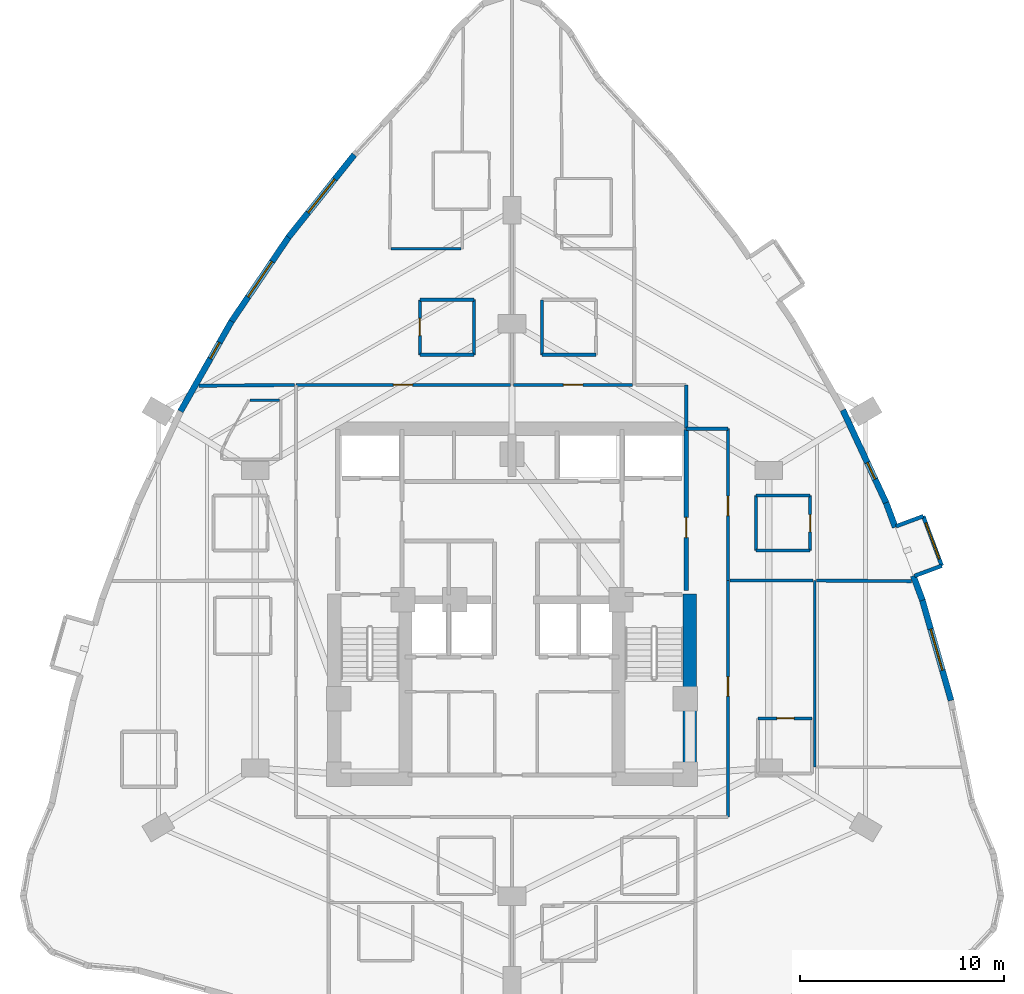
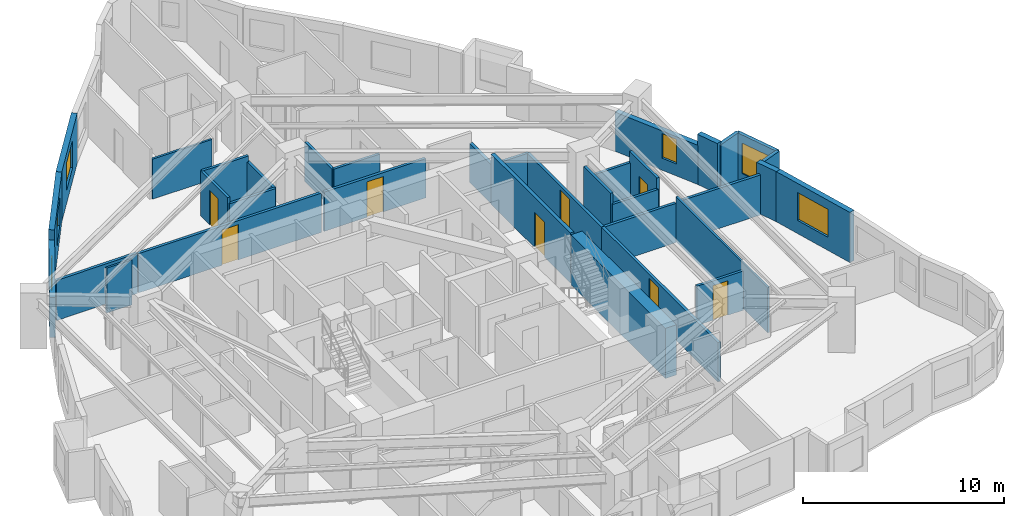
# One storey, part 10 of 13: 35 walls, 8 doors, 6 windows, 14 openings.
"""IFC4 building model written with IfcOpenShell, lengths in metres."""

from ifc_helpers import new_model, si_unit, direction, frame, frame_2d, origin, place, context, subcontext, project, spatial, rectangle, extrude, material, layer, layer_set, type_object, element, fill, save


model = new_model("IFC4")

# Units and contexts
model_context = context("Model", 3, precision=1e-05, world=origin(), true_north=direction((0.0, 1.0)))
body_context = subcontext(model_context, "Body", "Model", "MODEL_VIEW")
ifc_project = project(units=[si_unit("LENGTHUNIT", "METRE"), si_unit("AREAUNIT", "SQUARE_METRE"), si_unit("VOLUMEUNIT", "CUBIC_METRE"), si_unit("PLANEANGLEUNIT", "RADIAN"), si_unit("MASSUNIT", "GRAM", prefix="KILO")], contexts=[model_context])

# Site, building, storey
site_placement = place(None, origin())
site = spatial("IfcSite", under=ifc_project, at=site_placement, CompositionType="ELEMENT")
building_placement = place(site_placement, origin())
building = spatial("IfcBuilding", under=site, at=building_placement, Name="Miruveldt Soraemaru", CompositionType="ELEMENT")
storey_placement = place(building_placement, frame((0.0, 0.0, 87.0)))
storey = spatial("IfcBuildingStorey", under=building, at=storey_placement, Name="L24", CompositionType="ELEMENT", Elevation=87.0)

# Walls
ifc_material_1 = material(Name="White powder-coated aluminium EN AW-6060 T6", Category="aluminium")
ifc_layer_1 = layer(ifc_material_1, 0.18994140625, Name="White powder-coated aluminium EN AW-6060 T6", Category="aluminium")
ifc_layer_set_1 = layer_set([ifc_layer_1], Name="White powder-coated aluminium EN AW-6060 T6")
wall_type_1 = type_object("IfcWallType", Name="WALL-BAY-ALU190", PredefinedType="SOLIDWALL", material=ifc_layer_set_1)
for number, where, z_axis, x_axis, name in (
    (1, (63.755859375, 45.2265625, 0.0), (0.0, 0.0, 1.0), (0.937129361406, 0.348982177182, 0.0), "L24 Bay Window Side Cheek 5L"),
    (2, (64.183837890625, 48.160400390625, 0.0), (0.0, 0.0, 1.0), (-0.937129361406, -0.348982177182, 0.0), "L24 Bay Window Side Cheek 5R"),
):
    element("IfcWall", number, at=place(storey_placement, frame(where, z_axis=z_axis, x_axis=x_axis)), inside=storey, type_object=wall_type_1, Name=name, PredefinedType="SOLIDWALL", context=body_context, shape_type="SweptSolid", body=[
        extrude(rectangle(XDim=1.425048828125, YDim=0.18994140625, at=frame_2d((0.71240234375, 0.0))), origin(), (0.0, 0.0, 1.0), 2.89990234375),
    ])

# Wall, opening, window
wall_1_placement = place(storey_placement, frame((65.09130859375, 45.723876953125, 0.0), z_axis=(0.0, 0.0, 1.0), x_axis=(-0.349023333144, 0.937114034107, 0.0)))
wall_1 = element("IfcWall", 3, at=wall_1_placement, inside=storey, type_object=wall_type_1, Name="L24 Bay Window Front Frame 5", PredefinedType="SOLIDWALL", context=body_context, shape_type="SweptSolid", body=[
    extrude(rectangle(XDim=2.60009765625, YDim=0.18994140625, at=frame_2d((1.300048828125, 0.0))), origin(), (0.0, 0.0, 1.0), 2.89990234375),
])
opening_1_placement = place(wall_1_placement, frame((0.35009765625, 0.0, 0.550048828125)))
opening_1 = element("IfcOpeningElement", 4, at=opening_1_placement, cuts=wall_1, Name="Opening WN-6", PredefinedType="OPENING", context=body_context, shape_type="SweptSolid", body=[
    extrude(rectangle(XDim=1.89990234375, YDim=1.85009765625, at=frame_2d((0.949951171875, 0.925048828125))), frame((0.0, 0.10498046875, 0.0), z_axis=(0.0, -1.0, 0.0), x_axis=(1.0, 0.0, 0.0)), (0.0, 0.0, 1.0), 0.2099609375),
])
ifc_material_2 = material(Name="Triple low-e insulated glazing", Category="glass")
window_type_1 = type_object("IfcWindowType", Name="WIN-BAYW-1900x1850", PartitioningType="SINGLE_PANEL", PredefinedType="WINDOW", material=ifc_material_2)
window_1_placement = place(opening_1_placement, origin())
window_1 = element("IfcWindow", 5, at=window_1_placement, inside=storey, type_object=window_type_1, Name="L24 Projecting Bay Window 5", OverallHeight=1.85009765625, OverallWidth=1.89990234375, PartitioningType="SINGLE_PANEL", PredefinedType="WINDOW", context=body_context, shape_type="SweptSolid", body=[
    extrude(rectangle(XDim=1.89990234375, YDim=1.85009765625, at=frame_2d((0.949951171875, 0.925048828125))), frame((0.0, 0.030029296875, 0.0), z_axis=(0.0, -1.0, 0.0), x_axis=(1.0, 0.0, 0.0)), (0.0, 0.0, 1.0), 0.06005859375),
])
fill(opening_1, window_1)

# Wall
ifc_material_3 = material(Name="Concrete C80/95 (80 MPa)", Category="concrete")
ifc_layer_2 = layer(ifc_material_3, 0.64990234375, Name="Concrete C80/95 (80 MPa)", Category="concrete")
ifc_layer_set_2 = layer_set([ifc_layer_2], Name="Concrete C80/95 (80 MPa)")
wall_type_2 = type_object("IfcWallType", Name="WALL-CW-650", PredefinedType="SHEAR", material=ifc_layer_set_2)
wall_2_placement = place(storey_placement, frame((52.72509765625, 34.949951171875, 0.0), z_axis=(0.0, 0.0, 1.0), x_axis=(0.0, 1.0, 0.0)))
element("IfcWall", 6, at=wall_2_placement, inside=storey, type_object=wall_type_2, Name="L24 Central Core Shear Wall E1", PredefinedType="SHEAR", context=body_context, shape_type="SweptSolid", body=[
    extrude(rectangle(XDim=9.400146484375, YDim=0.64990234375, at=frame_2d((4.7001953125, 0.0))), origin(), (0.0, 0.0, 1.0), 3.050048828125),
])

# Wall, opening, window
ifc_material_4 = material(Name="Precast concrete C45/55 (45 MPa)", Category="concrete")
ifc_layer_3 = layer(ifc_material_4, 0.300048828125, Name="Precast concrete C45/55 (45 MPa)", Category="concrete")
ifc_layer_set_3 = layer_set([ifc_layer_3], Name="Precast concrete C45/55 (45 MPa)")
wall_type_3 = type_object("IfcWallType", Name="WALL-EXT-PC300", PredefinedType="SOLIDWALL", material=ifc_layer_set_3)
wall_3_placement = place(storey_placement, frame((36.260009765625, 65.897216796875, 0.0), z_axis=(0.0, 0.0, 1.0), x_axis=(-0.62357929542, -0.781760105354, 0.0)))
wall_3 = element("IfcWall", 7, at=wall_3_placement, inside=storey, type_object=wall_type_3, Name="L24 Precast Concrete Facade Wall 8", PredefinedType="SOLIDWALL", context=body_context, shape_type="SweptSolid", body=[
    extrude(rectangle(XDim=5.1796875, YDim=0.300048828125, at=frame_2d((2.58984375, 0.0))), origin(), (0.0, 0.0, 1.0), 3.050048828125),
])
opening_2_placement = place(wall_3_placement, frame((1.5400390625, 0.0, 0.800048828125)))
opening_2 = element("IfcOpeningElement", 8, at=opening_2_placement, cuts=wall_3, Name="Opening WN-1", PredefinedType="OPENING", context=body_context, shape_type="SweptSolid", body=[
    extrude(rectangle(XDim=2.10009765625, YDim=1.699951171875, at=frame_2d((1.050048828125, 0.85009765625))), frame((0.0, 0.16015625, 0.0), z_axis=(0.0, -1.0, 0.0), x_axis=(1.0, 0.0, 0.0)), (0.0, 0.0, 1.0), 0.320068359375),
])
window_type_2 = type_object("IfcWindowType", Name="WIN-PUNCH-2100x1700", PartitioningType="SINGLE_PANEL", PredefinedType="WINDOW", material=ifc_material_2)
window_2_placement = place(opening_2_placement, origin())
window_2 = element("IfcWindow", 9, at=window_2_placement, inside=storey, type_object=window_type_2, Name="L24 Punched Triple-Glazed Window 08.1", OverallHeight=1.699951171875, OverallWidth=2.10009765625, PartitioningType="SINGLE_PANEL", PredefinedType="WINDOW", context=body_context, shape_type="SweptSolid", body=[
    extrude(rectangle(XDim=2.10009765625, YDim=1.699951171875, at=frame_2d((1.050048828125, 0.85009765625))), frame((0.0, 0.030029296875, 0.0), z_axis=(0.0, -1.0, 0.0), x_axis=(1.0, 0.0, 0.0)), (0.0, 0.0, 1.0), 0.06005859375),
])
fill(opening_2, window_2)

wall_4_placement = place(storey_placement, frame((33.0712890625, 61.904296875, 0.0), z_axis=(0.0, 0.0, 1.0), x_axis=(-0.560818602439, -0.827938702537, 0.0)))
wall_4 = element("IfcWall", 10, at=wall_4_placement, inside=storey, type_object=wall_type_3, Name="L24 Precast Concrete Facade Wall 9", PredefinedType="SOLIDWALL", context=body_context, shape_type="SweptSolid", body=[
    extrude(rectangle(XDim=5.116455078125, YDim=0.300048828125, at=frame_2d((2.55810546875, 0.0))), origin(), (0.0, 0.0, 1.0), 3.050048828125),
])
opening_3_placement = place(wall_4_placement, frame((1.508056640625, 0.0, 0.800048828125)))
opening_3 = element("IfcOpeningElement", 11, at=opening_3_placement, cuts=wall_4, Name="Opening WN-1", PredefinedType="OPENING", context=body_context, shape_type="SweptSolid", body=[
    extrude(rectangle(XDim=2.10009765625, YDim=1.699951171875, at=frame_2d((1.050048828125, 0.85009765625))), frame((0.0, 0.16015625, 0.0), z_axis=(0.0, -1.0, 0.0), x_axis=(1.0, 0.0, 0.0)), (0.0, 0.0, 1.0), 0.320068359375),
])
window_3_placement = place(opening_3_placement, origin())
window_3 = element("IfcWindow", 12, at=window_3_placement, inside=storey, type_object=window_type_2, Name="L24 Punched Triple-Glazed Window 09.1", OverallHeight=1.699951171875, OverallWidth=2.10009765625, PartitioningType="SINGLE_PANEL", PredefinedType="WINDOW", context=body_context, shape_type="SweptSolid", body=[
    extrude(rectangle(XDim=2.10009765625, YDim=1.699951171875, at=frame_2d((1.050048828125, 0.85009765625))), frame((0.0, 0.030029296875, 0.0), z_axis=(0.0, -1.0, 0.0), x_axis=(1.0, 0.0, 0.0)), (0.0, 0.0, 1.0), 0.06005859375),
])
fill(opening_3, window_3)

wall_5_placement = place(storey_placement, frame((30.239013671875, 57.7275390625, 0.0), z_axis=(0.0, 0.0, 1.0), x_axis=(-0.493390535176, -0.869807898216, 0.0)))
wall_5 = element("IfcWall", 13, at=wall_5_placement, inside=storey, type_object=wall_type_3, Name="L24 Precast Concrete Facade Wall 10", PredefinedType="SOLIDWALL", context=body_context, shape_type="SweptSolid", body=[
    extrude(rectangle(XDim=5.084228515625, YDim=0.300048828125, at=frame_2d((2.5419921875, 0.0))), origin(), (0.0, 0.0, 1.0), 2.43798828125),
])
opening_4_placement = place(wall_5_placement, frame((1.205078125, 0.0, 0.778076171875)))
opening_4 = element("IfcOpeningElement", 14, at=opening_4_placement, cuts=wall_5, Name="Opening WN-7", PredefinedType="OPENING", context=body_context, shape_type="SweptSolid", body=[
    extrude(rectangle(XDim=0.89990234375, YDim=1.5, at=frame_2d((0.449951171875, 0.75))), frame((0.0, 0.16015625, 0.0), z_axis=(0.0, -1.0, 0.0), x_axis=(1.0, 0.0, 0.0)), (0.0, 0.0, 1.0), 0.320068359375),
])
window_type_3 = type_object("IfcWindowType", Name="WIN-PUNCH-900x1500", PartitioningType="SINGLE_PANEL", PredefinedType="WINDOW", material=ifc_material_2)
window_4_placement = place(opening_4_placement, origin())
window_4 = element("IfcWindow", 15, at=window_4_placement, inside=storey, type_object=window_type_3, Name="L24 Punched Triple-Glazed Window 10.1", OverallHeight=1.5, OverallWidth=0.89990234375, PartitioningType="SINGLE_PANEL", PredefinedType="WINDOW", context=body_context, shape_type="SweptSolid", body=[
    extrude(rectangle(XDim=0.89990234375, YDim=1.5, at=frame_2d((0.449951171875, 0.75))), frame((0.0, 0.030029296875, 0.0), z_axis=(0.0, -1.0, 0.0), x_axis=(1.0, 0.0, 0.0)), (0.0, 0.0, 1.0), 0.06005859375),
])
fill(opening_4, window_4)

wall_6_placement = place(storey_placement, frame((65.5458984375, 39.114501953125, 0.0), z_axis=(0.0, 0.0, 1.0), x_axis=(-0.274970119771, 0.961452772232, 0.0)))
wall_6 = element("IfcWall", 16, at=wall_6_placement, inside=storey, type_object=wall_type_3, Name="L24 Precast Concrete Facade Wall 36", PredefinedType="SOLIDWALL", context=body_context, shape_type="SweptSolid", body=[
    extrude(rectangle(XDim=5.179931640625, YDim=0.300048828125, at=frame_2d((2.58984375, 0.0))), origin(), (0.0, 0.0, 1.0), 3.050048828125),
])
opening_5_placement = place(wall_6_placement, frame((1.5400390625, 0.0, 0.800048828125)))
opening_5 = element("IfcOpeningElement", 17, at=opening_5_placement, cuts=wall_6, Name="Opening WN-1", PredefinedType="OPENING", context=body_context, shape_type="SweptSolid", body=[
    extrude(rectangle(XDim=2.10009765625, YDim=1.699951171875, at=frame_2d((1.050048828125, 0.85009765625))), frame((0.0, 0.16015625, 0.0), z_axis=(0.0, -1.0, 0.0), x_axis=(1.0, 0.0, 0.0)), (0.0, 0.0, 1.0), 0.320068359375),
])
window_5_placement = place(opening_5_placement, origin())
window_5 = element("IfcWindow", 18, at=window_5_placement, inside=storey, type_object=window_type_2, Name="L24 Punched Triple-Glazed Window 36.1", OverallHeight=1.699951171875, OverallWidth=2.10009765625, PartitioningType="SINGLE_PANEL", PredefinedType="WINDOW", context=body_context, shape_type="SweptSolid", body=[
    extrude(rectangle(XDim=2.10009765625, YDim=1.699951171875, at=frame_2d((1.050048828125, 0.85009765625))), frame((0.0, 0.030029296875, 0.0), z_axis=(0.0, -1.0, 0.0), x_axis=(1.0, 0.0, 0.0)), (0.0, 0.0, 1.0), 0.06005859375),
])
fill(opening_5, window_5)

# Walls
wall_7_placement = place(storey_placement, frame((64.1435546875, 44.0283203125, 0.0), z_axis=(0.0, 0.0, 1.0), x_axis=(-0.349128603975, 0.937074819791, 0.0)))
element("IfcWall", 19, at=wall_7_placement, inside=storey, type_object=wall_type_3, Name="L24 Precast Pier Wall 37A", PredefinedType="SOLIDWALL", context=body_context, shape_type="SweptSolid", body=[
    extrude(rectangle(XDim=1.2880859375, YDim=0.300048828125, at=frame_2d((0.64404296875, 0.0))), origin(), (0.0, 0.0, 1.0), 3.050048828125),
])
wall_8_placement = place(storey_placement, frame((62.807373046875, 47.61572265625, 0.0), z_axis=(0.0, 0.0, 1.0), x_axis=(-0.348900175075, 0.937159894486, 0.0)))
element("IfcWall", 20, at=wall_8_placement, inside=storey, type_object=wall_type_3, Name="L24 Precast Pier Wall 37B", PredefinedType="SOLIDWALL", context=body_context, shape_type="SweptSolid", body=[
    extrude(rectangle(XDim=1.288330078125, YDim=0.300048828125, at=frame_2d((0.64404296875, 0.0))), origin(), (0.0, 0.0, 1.0), 3.050048828125),
])

# Wall, opening, window
wall_9_placement = place(storey_placement, frame((62.384765625, 48.75830078125, 0.0), z_axis=(0.0, 0.0, 1.0), x_axis=(-0.422304449799, 0.906454053816, 0.0)))
wall_9 = element("IfcWall", 21, at=wall_9_placement, inside=storey, type_object=wall_type_3, Name="L24 Precast Concrete Facade Wall 38", PredefinedType="SOLIDWALL", context=body_context, shape_type="SweptSolid", body=[
    extrude(rectangle(XDim=5.08447265625, YDim=0.300048828125, at=frame_2d((2.542236328125, 0.0))), origin(), (0.0, 0.0, 1.0), 2.387939453125),
])
opening_6_placement = place(wall_9_placement, frame((1.341064453125, 0.0, 0.72802734375)))
opening_6 = element("IfcOpeningElement", 22, at=opening_6_placement, cuts=wall_9, Name="Opening WN-7", PredefinedType="OPENING", context=body_context, shape_type="SweptSolid", body=[
    extrude(rectangle(XDim=0.89990234375, YDim=1.5, at=frame_2d((0.449951171875, 0.75))), frame((0.0, 0.16015625, 0.0), z_axis=(0.0, -1.0, 0.0), x_axis=(1.0, 0.0, 0.0)), (0.0, 0.0, 1.0), 0.320068359375),
])
window_6_placement = place(opening_6_placement, origin())
window_6 = element("IfcWindow", 23, at=window_6_placement, inside=storey, type_object=window_type_3, Name="L24 Punched Triple-Glazed Window 38.1", OverallHeight=1.5, OverallWidth=0.89990234375, PartitioningType="SINGLE_PANEL", PredefinedType="WINDOW", context=body_context, shape_type="SweptSolid", body=[
    extrude(rectangle(XDim=0.89990234375, YDim=1.5, at=frame_2d((0.449951171875, 0.75))), frame((0.0, 0.030029296875, 0.0), z_axis=(0.0, -1.0, 0.0), x_axis=(1.0, 0.0, 0.0)), (0.0, 0.0, 1.0), 0.06005859375),
])
fill(opening_6, window_6)

# Walls
ifc_material_5 = material(Name="Gypsum plasterboard lining", Category="gypsum")
ifc_layer_4 = layer(ifc_material_5, 0.1201171875, Name="Gypsum plasterboard lining", Category="gypsum")
ifc_layer_set_4 = layer_set([ifc_layer_4], Name="Gypsum plasterboard lining")
wall_type_4 = type_object("IfcWallType", Name="WALL-INT-P120", PredefinedType="PARTITIONING", material=ifc_layer_set_4)
wall_10_placement = place(storey_placement, frame((58.861083984375, 35.85009765625, 0.0), z_axis=(0.0, 0.0, 1.0), x_axis=(0.0, 1.0, 0.0)))
element("IfcWall", 24, at=wall_10_placement, inside=storey, type_object=wall_type_4, Name="L24 Partition Wall 97", PredefinedType="PARTITIONING", context=body_context, shape_type="SweptSolid", body=[
    extrude(rectangle(XDim=9.14990234375, YDim=0.1201171875, at=frame_2d((4.574951171875, 0.0))), origin(), (0.0, 0.0, 1.0), 2.738037109375),
])
wall_11_placement = place(storey_placement, frame((41.489990234375, 61.281005859375, 0.0), z_axis=(0.0, 0.0, 1.0), x_axis=(-1.0, 0.0, 0.0)))
element("IfcWall", 25, at=wall_11_placement, inside=storey, type_object=wall_type_4, Name="L24 Partition Wall 23", PredefinedType="PARTITIONING", context=body_context, shape_type="SweptSolid", body=[
    extrude(rectangle(XDim=3.429931640625, YDim=0.1201171875, at=frame_2d((1.71484375, 0.0))), origin(), (0.0, 0.0, 1.0), 2.43798828125),
])
wall_12_placement = place(storey_placement, frame((31.14599609375, 53.85009765625, 0.0), z_axis=(0.0, 0.0, 1.0), x_axis=(1.0, 0.0, 0.0)))
element("IfcWall", 26, at=wall_12_placement, inside=storey, type_object=wall_type_4, Name="L24 Partition Wall 47", PredefinedType="PARTITIONING", context=body_context, shape_type="SweptSolid", body=[
    extrude(rectangle(XDim=1.444091796875, YDim=0.1201171875, at=frame_2d((0.72216796875, 0.0))), origin(), (0.0, 0.0, 1.0), 2.738037109375),
])

# Wall, opening, door
ifc_layer_5 = layer(ifc_material_5, 0.14990234375, Name="Gypsum plasterboard lining", Category="gypsum")
ifc_layer_set_5 = layer_set([ifc_layer_5], Name="Gypsum plasterboard lining")
wall_type_5 = type_object("IfcWallType", Name="WALL-INT-PLUMB", PredefinedType="PLUMBINGWALL", material=ifc_layer_set_5)
wall_13_placement = place(storey_placement, frame((39.47998046875, 58.780029296875, 0.0), z_axis=(0.0, 0.0, 1.0), x_axis=(0.0, -1.0, 0.0)))
wall_13 = element("IfcWall", 27, at=wall_13_placement, inside=storey, type_object=wall_type_5, Name="L24 Partition Wall 16", PredefinedType="PLUMBINGWALL", context=body_context, shape_type="SweptSolid", body=[
    extrude(rectangle(XDim=2.699951171875, YDim=0.14990234375, at=frame_2d((1.35009765625, 0.0))), origin(), (0.0, 0.0, 1.0), 2.738037109375),
])
opening_7_placement = place(wall_13_placement, frame((0.909912109375, 0.0, 0.0)))
opening_7 = element("IfcOpeningElement", 28, at=opening_7_placement, cuts=wall_13, Name="Opening FD3", PredefinedType="OPENING", context=body_context, shape_type="SweptSolid", body=[
    extrude(rectangle(XDim=0.85009765625, YDim=2.10009765625, at=frame_2d((0.425048828125, 1.050048828125))), frame((0.0, 0.0849609375, 0.0), z_axis=(0.0, -1.0, 0.0), x_axis=(1.0, 0.0, 0.0)), (0.0, 0.0, 1.0), 0.169921875),
])
ifc_material_6 = material(Name="Anodised aluminium EN AW-6063 T6", Category="aluminium")
door_type_1 = type_object("IfcDoorType", Name="DOOR-FD3-850", OperationType="NOTDEFINED", PredefinedType="DOOR", material=ifc_material_6)
door_1_placement = place(opening_7_placement, origin())
door_1 = element("IfcDoor", 29, at=door_1_placement, inside=storey, type_object=door_type_1, Name="L24 Unit 2402 BTH Door", OperationType="SINGLE_SWING_LEFT", OverallHeight=2.10009765625, OverallWidth=0.85009765625, PredefinedType="DOOR", context=body_context, shape_type="SweptSolid", body=[
    extrude(rectangle(XDim=0.85009765625, YDim=2.10009765625, at=frame_2d((0.425048828125, 1.050048828125))), frame((0.0, 0.02490234375, 0.0), z_axis=(0.0, -1.0, 0.0), x_axis=(1.0, 0.0, 0.0)), (0.0, 0.0, 1.0), 0.050048828125),
])
fill(opening_7, door_1)

wall_14_placement = place(storey_placement, frame((58.6298828125, 46.47998046875, 0.0), z_axis=(0.0, 0.0, 1.0), x_axis=(0.0, 1.0, 0.0)))
wall_14 = element("IfcWall", 30, at=wall_14_placement, inside=storey, type_object=wall_type_5, Name="L24 Partition Wall 60", PredefinedType="PLUMBINGWALL", context=body_context, shape_type="SweptSolid", body=[
    extrude(rectangle(XDim=2.699951171875, YDim=0.14990234375, at=frame_2d((1.35009765625, 0.0))), origin(), (0.0, 0.0, 1.0), 3.050048828125),
])
opening_8_placement = place(wall_14_placement, frame((0.909912109375, 0.0, 0.0)))
opening_8 = element("IfcOpeningElement", 31, at=opening_8_placement, cuts=wall_14, Name="Opening FD3", PredefinedType="OPENING", context=body_context, shape_type="SweptSolid", body=[
    extrude(rectangle(XDim=0.85009765625, YDim=2.10009765625, at=frame_2d((0.425048828125, 1.050048828125))), frame((0.0, 0.0849609375, 0.0), z_axis=(0.0, -1.0, 0.0), x_axis=(1.0, 0.0, 0.0)), (0.0, 0.0, 1.0), 0.169921875),
])
door_2_placement = place(opening_8_placement, origin())
door_2 = element("IfcDoor", 32, at=door_2_placement, inside=storey, type_object=door_type_1, Name="L24 Unit CL07 BTH Door", OperationType="SINGLE_SWING_LEFT", OverallHeight=2.10009765625, OverallWidth=0.85009765625, PredefinedType="DOOR", context=body_context, shape_type="SweptSolid", body=[
    extrude(rectangle(XDim=0.85009765625, YDim=2.10009765625, at=frame_2d((0.425048828125, 1.050048828125))), frame((0.0, 0.02490234375, 0.0), z_axis=(0.0, -1.0, 0.0), x_axis=(1.0, 0.0, 0.0)), (0.0, 0.0, 1.0), 0.050048828125),
])
fill(opening_8, door_2)

wall_15_placement = place(storey_placement, frame((58.72998046875, 38.22998046875, 0.0), z_axis=(0.0, 0.0, 1.0), x_axis=(-1.0, 0.0, 0.0)))
wall_15 = element("IfcWall", 33, at=wall_15_placement, inside=storey, type_object=wall_type_5, Name="L24 Partition Wall 67", PredefinedType="PLUMBINGWALL", context=body_context, shape_type="SweptSolid", body=[
    extrude(rectangle(XDim=2.64990234375, YDim=0.14990234375, at=frame_2d((1.324951171875, 0.0))), origin(), (0.0, 0.0, 1.0), 2.387939453125),
])
opening_9_placement = place(wall_15_placement, frame((0.885009765625, 0.0, 0.0)))
opening_9 = element("IfcOpeningElement", 34, at=opening_9_placement, cuts=wall_15, Name="Opening FD3", PredefinedType="OPENING", context=body_context, shape_type="SweptSolid", body=[
    extrude(rectangle(XDim=0.85009765625, YDim=2.10009765625, at=frame_2d((0.425048828125, 1.050048828125))), frame((0.0, 0.0849609375, 0.0), z_axis=(0.0, -1.0, 0.0), x_axis=(1.0, 0.0, 0.0)), (0.0, 0.0, 1.0), 0.169921875),
])
door_3_placement = place(opening_9_placement, origin())
door_3 = element("IfcDoor", 35, at=door_3_placement, inside=storey, type_object=door_type_1, Name="L24 Unit 2408 BTH Door", OperationType="SINGLE_SWING_LEFT", OverallHeight=2.10009765625, OverallWidth=0.85009765625, PredefinedType="DOOR", context=body_context, shape_type="SweptSolid", body=[
    extrude(rectangle(XDim=0.85009765625, YDim=2.10009765625, at=frame_2d((0.425048828125, 1.050048828125))), frame((0.0, 0.02490234375, 0.0), z_axis=(0.0, -1.0, 0.0), x_axis=(1.0, 0.0, 0.0)), (0.0, 0.0, 1.0), 0.050048828125),
])
fill(opening_9, door_3)

# Walls
for number, where, z_axis, x_axis, name in (
    (36, (42.1298828125, 56.080078125, 0.0), (0.0, 0.0, 1.0), (0.0, 1.0, 0.0), "L24 Partition Wall 14"),
    (37, (45.47998046875, 58.780029296875, 0.0), (0.0, 0.0, 1.0), (0.0, -1.0, 0.0), "L24 Partition Wall 32"),
):
    element("IfcWall", number, at=place(storey_placement, frame(where, z_axis=z_axis, x_axis=x_axis)), inside=storey, type_object=wall_type_5, Name=name, PredefinedType="PLUMBINGWALL", context=body_context, shape_type="SweptSolid", body=[
        extrude(rectangle(XDim=2.699951171875, YDim=0.14990234375, at=frame_2d((1.35009765625, 0.0))), origin(), (0.0, 0.0, 1.0), 2.387939453125),
    ])
wall_16_placement = place(storey_placement, frame((55.97998046875, 49.179931640625, 0.0), z_axis=(0.0, 0.0, 1.0), x_axis=(0.0, -1.0, 0.0)))
element("IfcWall", 38, at=wall_16_placement, inside=storey, type_object=wall_type_5, Name="L24 Partition Wall 62", PredefinedType="PLUMBINGWALL", context=body_context, shape_type="SweptSolid", body=[
    extrude(rectangle(XDim=2.699951171875, YDim=0.14990234375, at=frame_2d((1.35009765625, 0.0))), origin(), (0.0, 0.0, 1.0), 3.050048828125),
])
wall_17_placement = place(storey_placement, frame((42.1298828125, 58.780029296875, 0.0), z_axis=(0.0, 0.0, 1.0), x_axis=(-1.0, 0.0, 0.0)))
element("IfcWall", 39, at=wall_17_placement, inside=storey, type_object=wall_type_5, Name="L24 Partition Wall 15", PredefinedType="PLUMBINGWALL", context=body_context, shape_type="SweptSolid", body=[
    extrude(rectangle(XDim=2.64990234375, YDim=0.14990234375, at=frame_2d((1.324951171875, 0.0))), origin(), (0.0, 0.0, 1.0), 2.738037109375),
])
for number, where, z_axis, x_axis, name in (
    (40, (39.47998046875, 56.080078125, 0.0), (0.0, 0.0, 1.0), (1.0, 0.0, 0.0), "L24 Partition Wall 17"),
    (41, (45.47998046875, 56.080078125, 0.0), (0.0, 0.0, 1.0), (1.0, 0.0, 0.0), "L24 Partition Wall 33"),
    (42, (58.6298828125, 49.179931640625, 0.0), (0.0, 0.0, 1.0), (-1.0, 0.0, 0.0), "L24 Partition Wall 61"),
    (43, (55.97998046875, 46.47998046875, 0.0), (0.0, 0.0, 1.0), (1.0, 0.0, 0.0), "L24 Partition Wall 63"),
):
    element("IfcWall", number, at=place(storey_placement, frame(where, z_axis=z_axis, x_axis=x_axis)), inside=storey, type_object=wall_type_5, Name=name, PredefinedType="PLUMBINGWALL", context=body_context, shape_type="SweptSolid", body=[
        extrude(rectangle(XDim=2.64990234375, YDim=0.14990234375, at=frame_2d((1.324951171875, 0.0))), origin(), (0.0, 0.0, 1.0), 2.387939453125),
    ])

# Wall, opening, door
ifc_material_7 = material(Name="Concrete C40/50 (40 MPa)", Category="concrete")
ifc_layer_6 = layer(ifc_material_7, 0.159912109375, Name="Concrete C40/50 (40 MPa)", Category="concrete")
ifc_layer_set_6 = layer_set([ifc_layer_6], Name="Concrete C40/50 (40 MPa)")
wall_type_6 = type_object("IfcWallType", Name="WALL-INT-RC160", PredefinedType="SOLIDWALL", material=ifc_layer_set_6)
wall_18_placement = place(storey_placement, frame((54.60009765625, 33.39990234375, 0.0), z_axis=(0.0, 0.0, 1.0), x_axis=(0.0, 1.0, 0.0)))
wall_18 = element("IfcWall", 44, at=wall_18_placement, inside=storey, type_object=wall_type_6, Name="L24 Partition Wall 11", PredefinedType="SOLIDWALL", context=body_context, shape_type="SweptSolid", body=[
    extrude(rectangle(XDim=11.593017578125, YDim=0.159912109375, at=frame_2d((5.79638671875, 0.0))), origin(), (0.0, 0.0, 1.0), 2.387939453125),
])
opening_10_placement = place(wall_18_placement, frame((5.924072265625, 0.0, 0.0)))
opening_10 = element("IfcOpeningElement", 45, at=opening_10_placement, cuts=wall_18, Name="Opening FD2", PredefinedType="OPENING", context=body_context, shape_type="SweptSolid", body=[
    extrude(rectangle(XDim=0.949951171875, YDim=2.14990234375, at=frame_2d((0.47509765625, 1.074951171875))), frame((0.0, 0.08984375, 0.0), z_axis=(0.0, -1.0, 0.0), x_axis=(1.0, 0.0, 0.0)), (0.0, 0.0, 1.0), 0.179931640625),
])
door_type_2 = type_object("IfcDoorType", Name="DOOR-FD2-950", OperationType="NOTDEFINED", PredefinedType="DOOR", material=ifc_material_6)
door_4_placement = place(opening_10_placement, origin())
door_4 = element("IfcDoor", 46, at=door_4_placement, inside=storey, type_object=door_type_2, Name="L24 Unit 2408 Entrance Fire Door", OperationType="SINGLE_SWING_RIGHT", OverallHeight=2.14990234375, OverallWidth=0.949951171875, PredefinedType="DOOR", context=body_context, shape_type="SweptSolid", body=[
    extrude(rectangle(XDim=0.949951171875, YDim=2.14990234375, at=frame_2d((0.47509765625, 1.074951171875))), frame((0.0, 0.02490234375, 0.0), z_axis=(0.0, -1.0, 0.0), x_axis=(1.0, 0.0, 0.0)), (0.0, 0.0, 1.0), 0.050048828125),
])
fill(opening_10, door_4)

wall_19_placement = place(storey_placement, frame((43.916015625, 54.60009765625, 0.0), z_axis=(0.0, 0.0, 1.0), x_axis=(-1.0, 0.0, 0.0)))
wall_19 = element("IfcWall", 47, at=wall_19_placement, inside=storey, type_object=wall_type_6, Name="L24 Partition Wall 1", PredefinedType="SOLIDWALL", context=body_context, shape_type="SweptSolid", body=[
    extrude(rectangle(XDim=10.526123046875, YDim=0.159912109375, at=frame_2d((5.26318359375, 0.0))), origin(), (0.0, 0.0, 1.0), 2.387939453125),
])
opening_11_placement = place(wall_19_placement, frame((4.7880859375, 0.0, 0.0)))
opening_11 = element("IfcOpeningElement", 48, at=opening_11_placement, cuts=wall_19, Name="Opening FD2", PredefinedType="OPENING", context=body_context, shape_type="SweptSolid", body=[
    extrude(rectangle(XDim=0.949951171875, YDim=2.14990234375, at=frame_2d((0.47509765625, 1.074951171875))), frame((0.0, 0.08984375, 0.0), z_axis=(0.0, -1.0, 0.0), x_axis=(1.0, 0.0, 0.0)), (0.0, 0.0, 1.0), 0.179931640625),
])
door_5_placement = place(opening_11_placement, origin())
door_5 = element("IfcDoor", 49, at=door_5_placement, inside=storey, type_object=door_type_2, Name="L24 Unit 2402 Entrance Fire Door", OperationType="SINGLE_SWING_RIGHT", OverallHeight=2.14990234375, OverallWidth=0.949951171875, PredefinedType="DOOR", context=body_context, shape_type="SweptSolid", body=[
    extrude(rectangle(XDim=0.949951171875, YDim=2.14990234375, at=frame_2d((0.47509765625, 1.074951171875))), frame((0.0, 0.02490234375, 0.0), z_axis=(0.0, -1.0, 0.0), x_axis=(1.0, 0.0, 0.0)), (0.0, 0.0, 1.0), 0.050048828125),
])
fill(opening_11, door_5)

wall_20_placement = place(storey_placement, frame((54.60009765625, 45.006103515625, 0.0), z_axis=(0.0, 0.0, 1.0), x_axis=(0.0, 1.0, 0.0)))
wall_20 = element("IfcWall", 50, at=wall_20_placement, inside=storey, type_object=wall_type_6, Name="L24 Partition Wall 6", PredefinedType="SOLIDWALL", context=body_context, shape_type="SweptSolid", body=[
    extrude(rectangle(XDim=7.44384765625, YDim=0.159912109375, at=frame_2d((3.721923828125, 0.0))), origin(), (0.0, 0.0, 1.0), 2.387939453125),
])
opening_12_placement = place(wall_20_placement, frame((3.18505859375, 0.0, 0.0)))
opening_12 = element("IfcOpeningElement", 51, at=opening_12_placement, cuts=wall_20, Name="Opening FD2", PredefinedType="OPENING", context=body_context, shape_type="SweptSolid", body=[
    extrude(rectangle(XDim=0.949951171875, YDim=2.14990234375, at=frame_2d((0.47509765625, 1.074951171875))), frame((0.0, 0.08984375, 0.0), z_axis=(0.0, -1.0, 0.0), x_axis=(1.0, 0.0, 0.0)), (0.0, 0.0, 1.0), 0.179931640625),
])
door_6_placement = place(opening_12_placement, origin())
door_6 = element("IfcDoor", 52, at=door_6_placement, inside=storey, type_object=door_type_2, Name="L24 Unit CL07 Entrance Fire Door", OperationType="SINGLE_SWING_RIGHT", OverallHeight=2.14990234375, OverallWidth=0.949951171875, PredefinedType="DOOR", context=body_context, shape_type="SweptSolid", body=[
    extrude(rectangle(XDim=0.949951171875, YDim=2.14990234375, at=frame_2d((0.47509765625, 1.074951171875))), frame((0.0, 0.02490234375, 0.0), z_axis=(0.0, -1.0, 0.0), x_axis=(1.0, 0.0, 0.0)), (0.0, 0.0, 1.0), 0.050048828125),
])
fill(opening_12, door_6)

wall_21_placement = place(storey_placement, frame((49.919921875, 54.60009765625, 0.0), z_axis=(0.0, 0.0, 1.0), x_axis=(-1.0, 0.0, 0.0)))
wall_21 = element("IfcWall", 53, at=wall_21_placement, inside=storey, type_object=wall_type_6, Name="L24 Partition Wall 2", PredefinedType="SOLIDWALL", context=body_context, shape_type="SweptSolid", body=[
    extrude(rectangle(XDim=5.83984375, YDim=0.159912109375, at=frame_2d((2.919921875, 0.0))), origin(), (0.0, 0.0, 1.0), 2.387939453125),
])
opening_13_placement = place(wall_21_placement, frame((2.445068359375, 0.0, 0.0)))
opening_13 = element("IfcOpeningElement", 54, at=opening_13_placement, cuts=wall_21, Name="Opening FD2", PredefinedType="OPENING", context=body_context, shape_type="SweptSolid", body=[
    extrude(rectangle(XDim=0.949951171875, YDim=2.14990234375, at=frame_2d((0.47509765625, 1.074951171875))), frame((0.0, 0.08984375, 0.0), z_axis=(0.0, -1.0, 0.0), x_axis=(1.0, 0.0, 0.0)), (0.0, 0.0, 1.0), 0.179931640625),
])
door_7_placement = place(opening_13_placement, origin())
door_7 = element("IfcDoor", 55, at=door_7_placement, inside=storey, type_object=door_type_2, Name="L24 Unit 2403 Entrance Fire Door", OperationType="SINGLE_SWING_RIGHT", OverallHeight=2.14990234375, OverallWidth=0.949951171875, PredefinedType="DOOR", context=body_context, shape_type="SweptSolid", body=[
    extrude(rectangle(XDim=0.949951171875, YDim=2.14990234375, at=frame_2d((0.47509765625, 1.074951171875))), frame((0.0, 0.02490234375, 0.0), z_axis=(0.0, -1.0, 0.0), x_axis=(1.0, 0.0, 0.0)), (0.0, 0.0, 1.0), 0.050048828125),
])
fill(opening_13, door_7)

# Walls
wall_22_placement = place(storey_placement, frame((28.631103515625, 54.55810546875, 0.0), z_axis=(0.0, 0.0, 1.0), x_axis=(0.99996174486, 0.008746931851, 0.0)))
element("IfcWall", 56, at=wall_22_placement, inside=storey, type_object=wall_type_6, Name="L24 Partition Wall 26", PredefinedType="SOLIDWALL", context=body_context, shape_type="SweptSolid", body=[
    extrude(rectangle(XDim=4.689208984375, YDim=0.159912109375, at=frame_2d((2.3447265625, 0.0))), origin(), (0.0, 0.0, 1.0), 2.43798828125),
])
wall_23_placement = place(storey_placement, frame((58.94091796875, 44.9990234375, 0.0), z_axis=(0.0, 0.0, 1.0), x_axis=(0.999980699092, -0.006213005962, 0.0)))
element("IfcWall", 57, at=wall_23_placement, inside=storey, type_object=wall_type_6, Name="L24 Partition Wall 65", PredefinedType="SOLIDWALL", context=body_context, shape_type="SweptSolid", body=[
    extrude(rectangle(XDim=4.676025390625, YDim=0.159912109375, at=frame_2d((2.337890625, 0.0))), origin(), (0.0, 0.0, 1.0), 2.43798828125),
])
wall_24_placement = place(storey_placement, frame((54.68701171875, 45.0, 0.0), z_axis=(0.0, 0.0, 1.0), x_axis=(1.0, 0.0, 0.0)))
element("IfcWall", 58, at=wall_24_placement, inside=storey, type_object=wall_type_6, Name="L24 Partition Wall 64", PredefinedType="SOLIDWALL", context=body_context, shape_type="SweptSolid", body=[
    extrude(rectangle(XDim=4.0869140625, YDim=0.159912109375, at=frame_2d((2.04345703125, 0.0))), origin(), (0.0, 0.0, 1.0), 2.387939453125),
])
wall_25_placement = place(storey_placement, frame((52.550048828125, 52.449951171875, 0.0), z_axis=(0.0, 0.0, 1.0), x_axis=(0.0, 1.0, 0.0)))
element("IfcWall", 59, at=wall_25_placement, inside=storey, type_object=wall_type_6, Name="L24 Partition Wall 8", PredefinedType="SOLIDWALL", context=body_context, shape_type="SweptSolid", body=[
    extrude(rectangle(XDim=2.150146484375, YDim=0.159912109375, at=frame_2d((1.0751953125, 0.0))), origin(), (0.0, 0.0, 1.0), 2.387939453125),
])
wall_26_placement = place(storey_placement, frame((54.60009765625, 52.449951171875, 0.0), z_axis=(0.0, 0.0, 1.0), x_axis=(-1.0, 0.0, 0.0)))
element("IfcWall", 60, at=wall_26_placement, inside=storey, type_object=wall_type_6, Name="L24 Partition Wall 7", PredefinedType="SOLIDWALL", context=body_context, shape_type="SweptSolid", body=[
    extrude(rectangle(XDim=2.050048828125, YDim=0.159912109375, at=frame_2d((1.02490234375, 0.0))), origin(), (0.0, 0.0, 1.0), 2.387939453125),
])

# Wall, opening, door
ifc_layer_7 = layer(ifc_material_7, 0.199951171875, Name="Concrete C40/50 (40 MPa)", Category="concrete")
ifc_layer_set_7 = layer_set([ifc_layer_7], Name="Concrete C40/50 (40 MPa)")
wall_type_7 = type_object("IfcWallType", Name="WALL-INT-RC200", PredefinedType="SOLIDWALL", material=ifc_layer_set_7)
wall_27_placement = place(storey_placement, frame((52.550048828125, 44.5, 0.0), z_axis=(0.0, 0.0, 1.0), x_axis=(0.0, 1.0, 0.0)))
wall_27 = element("IfcWall", 61, at=wall_27_placement, inside=storey, type_object=wall_type_7, Name="L24 Core Compartment Wall FFE-OUT", PredefinedType="SOLIDWALL", context=body_context, shape_type="SweptSolid", body=[
    extrude(rectangle(XDim=7.919921875, YDim=0.199951171875, at=frame_2d((3.9599609375, 0.0))), origin(), (0.0, 0.0, 1.0), 3.050048828125),
])
opening_14_placement = place(wall_27_placement, frame((2.60009765625, 0.0, 0.0)))
opening_14 = element("IfcOpeningElement", 62, at=opening_14_placement, cuts=wall_27, Name="Opening FD1", PredefinedType="OPENING", context=body_context, shape_type="SweptSolid", body=[
    extrude(rectangle(XDim=1.0, YDim=2.14990234375, at=frame_2d((0.5, 1.074951171875))), frame((0.0, 0.10986328125, 0.0), z_axis=(0.0, -1.0, 0.0), x_axis=(1.0, 0.0, 0.0)), (0.0, 0.0, 1.0), 0.219970703125),
])
door_type_3 = type_object("IfcDoorType", Name="DOOR-FD1-1000", OperationType="NOTDEFINED", PredefinedType="DOOR", material=ifc_material_6)
door_8_placement = place(opening_14_placement, frame((1.0, 0.0, 0.0), z_axis=(0.0, 0.0, 1.0), x_axis=(-1.0, 0.0, 0.0)))
door_8 = element("IfcDoor", 63, at=door_8_placement, inside=storey, type_object=door_type_3, Name="L24 East Firefighting Lobby Exit Door", OperationType="SINGLE_SWING_RIGHT", OverallHeight=2.14990234375, OverallWidth=1.0, PredefinedType="DOOR", context=body_context, shape_type="SweptSolid", body=[
    extrude(rectangle(XDim=1.0, YDim=2.14990234375, at=frame_2d((0.5, 1.074951171875))), frame((0.0, 0.02490234375, 0.0), z_axis=(0.0, -1.0, 0.0), x_axis=(1.0, 0.0, 0.0)), (0.0, 0.0, 1.0), 0.050048828125),
])
fill(opening_14, door_8)

save(model, "model.ifc")
